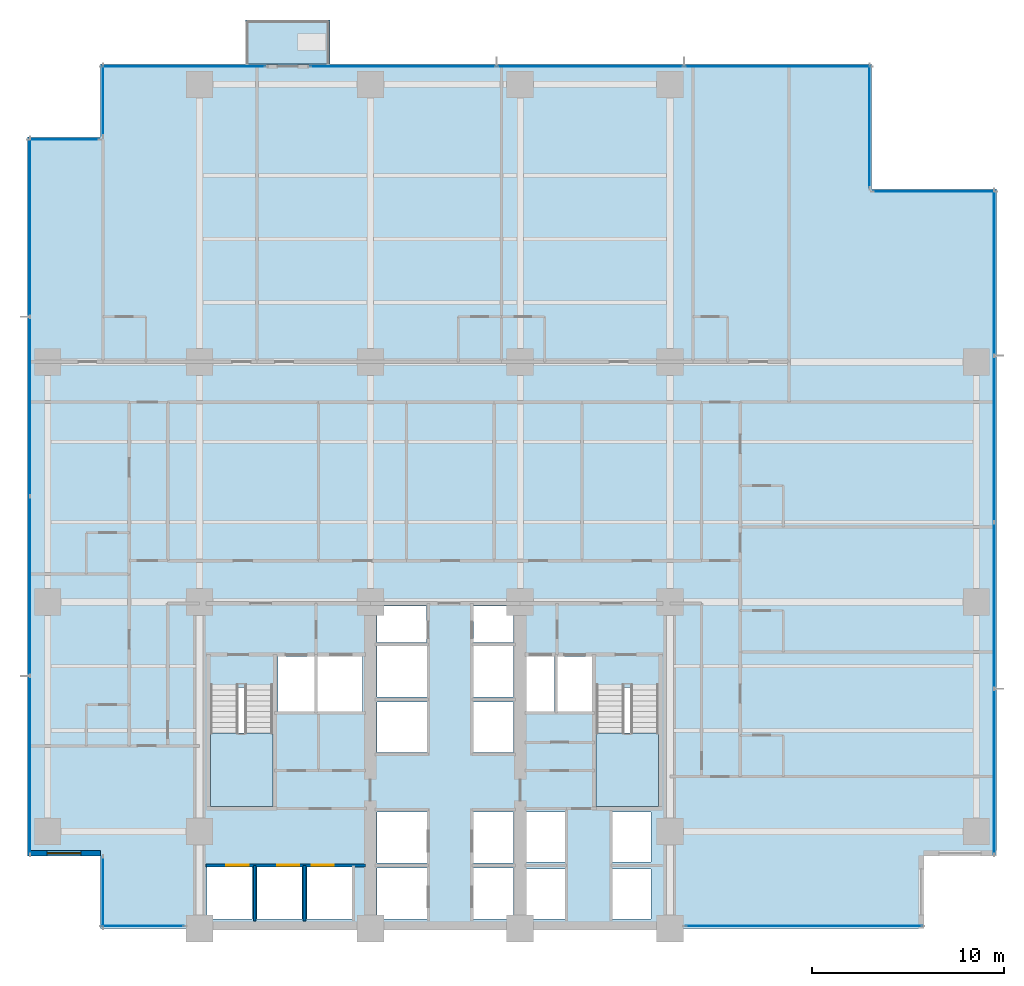
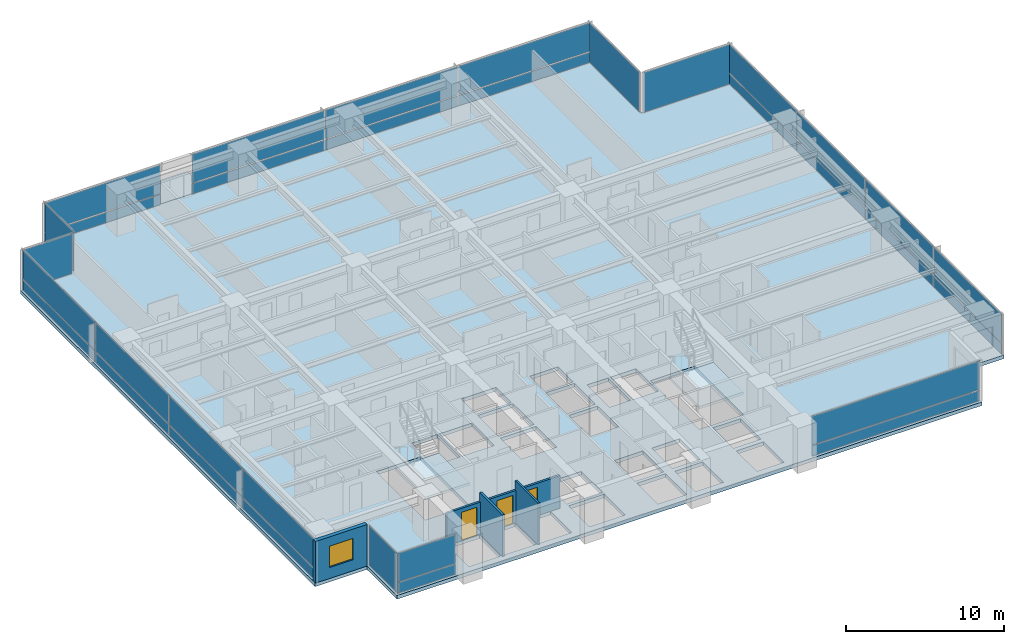
# One storey, part 6 of 16: 33 plates, 4 slabs, 4 walls, 3 doors, 1 window, 4 openings, 13 elements without a shape of their own.
"""IFC4 building model written with IfcOpenShell, lengths in metres."""

from ifc_helpers import new_model, si_unit, direction, frame, frame_2d, origin, origin_2d, place, context, subcontext, project, spatial, polyline, rectangle, outline, extrude, material, layer, layer_set, type_object, element, fill, aggregate, save


model = new_model("IFC4")

# Units and contexts
model_context = context("Model", 3, precision=1e-05, world=origin(), true_north=direction((0.0, 1.0)))
body_context = subcontext(model_context, "Body", "Model", "MODEL_VIEW")
ifc_project = project(units=[si_unit("LENGTHUNIT", "METRE"), si_unit("AREAUNIT", "SQUARE_METRE"), si_unit("VOLUMEUNIT", "CUBIC_METRE"), si_unit("PLANEANGLEUNIT", "RADIAN"), si_unit("MASSUNIT", "GRAM", prefix="KILO")], contexts=[model_context])

# Site, building, storey
site_placement = place(None, origin())
site = spatial("IfcSite", under=ifc_project, at=site_placement, CompositionType="ELEMENT")
building_placement = place(site_placement, origin())
building = spatial("IfcBuilding", under=site, at=building_placement, Name="Qalmaran Belvedere Hotel", CompositionType="ELEMENT")
storey_placement = place(building_placement, frame((0.0, 0.0, 43.89990234375)))
storey = spatial("IfcBuildingStorey", under=building, at=storey_placement, Name="L10", CompositionType="ELEMENT", Elevation=43.89990234375)

# Curtain wall, plate
ifc_material_1 = material(Name="Anodised Bronze Aluminium", Category="aluminium")
ifc_layer_1 = layer(ifc_material_1, 0.2099609375, Name="Anodised Bronze Aluminium")
ifc_layer_set_1 = layer_set([ifc_layer_1], Name="Anodised Bronze Aluminium")
curtain_wall_type = type_object("IfcCurtainWallType", Name="CW2-TOWER-LOWER", PredefinedType="NOTDEFINED", material=ifc_layer_set_1)
curtain_wall_1_placement = place(storey_placement, origin())
curtain_wall_1 = element("IfcCurtainWall", 1, at=curtain_wall_1_placement, inside=storey, type_object=curtain_wall_type, Name="L10 Curtain Wall CW2", PredefinedType="NOTDEFINED")
ifc_material_2 = material(Name="Anodised Bronze Spandrel Panel")
ifc_layer_2 = layer(ifc_material_2, 0.035888671875, Name="Anodised Bronze Spandrel Panel")
ifc_layer_set_2 = layer_set([ifc_layer_2], Name="Anodised Bronze Spandrel Panel")
plate_type_1 = type_object("IfcPlateType", Name="CWP-SPANDREL-36", PredefinedType="CURTAIN_PANEL", material=ifc_layer_set_2)
plate_1_placement = place(storey_placement, frame((17.35498046875, 3.6201171875, 0.0703125), z_axis=(0.0, 0.0, 1.0), x_axis=(1.0, 0.0, 0.0)))
plate_1 = element("IfcPlate", 2, at=plate_1_placement, type_object=plate_type_1, Name="CW2 panel 1.1", PredefinedType="CURTAIN_PANEL", context=body_context, shape_type="SweptSolid", body=[
    extrude(rectangle(XDim=4.260009765625, YDim=0.035888671875, at=origin_2d()), origin(), (0.0, 0.0, 1.0), 0.796630859375),
])

curtain_wall_2_placement = place(storey_placement, origin())
curtain_wall_2 = element("IfcCurtainWall", 3, at=curtain_wall_2_placement, inside=storey, type_object=curtain_wall_type, Name="L10 Curtain Wall CW2", PredefinedType="NOTDEFINED")
plate_2_placement = place(storey_placement, frame((51.77001953125, 3.6201171875, 0.0703125), z_axis=(0.0, 0.0, 1.0), x_axis=(1.0, 0.0, 0.0)))
plate_2 = element("IfcPlate", 4, at=plate_2_placement, type_object=plate_type_1, Name="CW2 panel 1.1", PredefinedType="CURTAIN_PANEL", context=body_context, shape_type="SweptSolid", body=[
    extrude(rectangle(XDim=12.31005859375, YDim=0.035888671875, at=origin_2d()), origin(), (0.0, 0.0, 1.0), 0.796630859375),
])

# Curtain wall, plates
curtain_wall_3_placement = place(storey_placement, origin())
curtain_wall_3 = element("IfcCurtainWall", 5, at=curtain_wall_3_placement, inside=storey, type_object=curtain_wall_type, Name="L10 Curtain Wall CW2", PredefinedType="NOTDEFINED")
plate_3_placement = place(storey_placement, frame((61.679931640625, 11.65625, 0.0703125), z_axis=(0.0, 0.0, 1.0), x_axis=(0.0, 1.0, 0.0)))
plate_3 = element("IfcPlate", 6, at=plate_3_placement, type_object=plate_type_1, Name="CW2 panel 1.1", PredefinedType="CURTAIN_PANEL", context=body_context, shape_type="SweptSolid", body=[
    extrude(rectangle(XDim=8.5625, YDim=0.035888671875, at=origin_2d()), origin(), (0.0, 0.0, 1.0), 0.796630859375),
])
plate_4_placement = place(storey_placement, frame((61.679931640625, 20.3125, 0.0703125), z_axis=(0.0, 0.0, 1.0), x_axis=(0.0, 1.0, 0.0)))
plate_4 = element("IfcPlate", 7, at=plate_4_placement, type_object=plate_type_1, Name="CW2 panel 2.1", PredefinedType="CURTAIN_PANEL", context=body_context, shape_type="SweptSolid", body=[
    extrude(rectangle(XDim=8.60009765625, YDim=0.035888671875, at=origin_2d()), origin(), (0.0, 0.0, 1.0), 0.796630859375),
])
plate_5_placement = place(storey_placement, frame((61.679931640625, 28.987548828125, 0.0703125), z_axis=(0.0, 0.0, 1.0), x_axis=(0.0, 1.0, 0.0)))
plate_5 = element("IfcPlate", 8, at=plate_5_placement, type_object=plate_type_1, Name="CW2 panel 3.1", PredefinedType="CURTAIN_PANEL", context=body_context, shape_type="SweptSolid", body=[
    extrude(rectangle(XDim=8.60009765625, YDim=0.035888671875, at=origin_2d()), origin(), (0.0, 0.0, 1.0), 0.796630859375),
])
plate_6_placement = place(storey_placement, frame((61.679931640625, 37.643798828125, 0.0703125), z_axis=(0.0, 0.0, 1.0), x_axis=(0.0, 1.0, 0.0)))
plate_6 = element("IfcPlate", 9, at=plate_6_placement, type_object=plate_type_1, Name="CW2 panel 4.1", PredefinedType="CURTAIN_PANEL", context=body_context, shape_type="SweptSolid", body=[
    extrude(rectangle(XDim=8.5625, YDim=0.035888671875, at=origin_2d()), origin(), (0.0, 0.0, 1.0), 0.796630859375),
])

# Curtain wall, plate
curtain_wall_4_placement = place(storey_placement, origin())
curtain_wall_4 = element("IfcCurtainWall", 10, at=curtain_wall_4_placement, inside=storey, type_object=curtain_wall_type, Name="L10 Curtain Wall CW2", PredefinedType="NOTDEFINED")
plate_7_placement = place(storey_placement, frame((19.47509765625, 48.3798828125, 0.0703125), z_axis=(0.0, 0.0, 1.0), x_axis=(-1.0, 0.0, 0.0)))
plate_7 = element("IfcPlate", 11, at=plate_7_placement, type_object=plate_type_1, Name="CW2 panel 1.1", PredefinedType="CURTAIN_PANEL", context=body_context, shape_type="SweptSolid", body=[
    extrude(rectangle(XDim=8.5, YDim=0.035888671875, at=origin_2d()), origin(), (0.0, 0.0, 1.0), 0.796630859375),
])

# Curtain wall, plates
curtain_wall_5_placement = place(storey_placement, origin())
curtain_wall_5 = element("IfcCurtainWall", 12, at=curtain_wall_5_placement, inside=storey, type_object=curtain_wall_type, Name="L10 Curtain Wall CW2", PredefinedType="NOTDEFINED")
plate_8_placement = place(storey_placement, frame((50.39794921875, 48.3798828125, 0.0703125), z_axis=(0.0, 0.0, 1.0), x_axis=(-1.0, 0.0, 0.0)))
plate_8 = element("IfcPlate", 13, at=plate_8_placement, type_object=plate_type_1, Name="CW2 panel 1.1", PredefinedType="CURTAIN_PANEL", context=body_context, shape_type="SweptSolid", body=[
    extrude(rectangle(XDim=9.654052734375, YDim=0.035888671875, at=origin_2d()), origin(), (0.0, 0.0, 1.0), 0.796630859375),
])
plate_9_placement = place(storey_placement, frame((40.64990234375, 48.3798828125, 0.0703125), z_axis=(0.0, 0.0, 1.0), x_axis=(-1.0, 0.0, 0.0)))
plate_9 = element("IfcPlate", 14, at=plate_9_placement, type_object=plate_type_1, Name="CW2 panel 2.1", PredefinedType="CURTAIN_PANEL", context=body_context, shape_type="SweptSolid", body=[
    extrude(rectangle(XDim=9.691650390625, YDim=0.035888671875, at=origin_2d()), origin(), (0.0, 0.0, 1.0), 0.796630859375),
])
plate_10_placement = place(storey_placement, frame((30.902099609375, 48.3798828125, 0.0703125), z_axis=(0.0, 0.0, 1.0), x_axis=(-1.0, 0.0, 0.0)))
plate_10 = element("IfcPlate", 15, at=plate_10_placement, type_object=plate_type_1, Name="CW2 panel 3.1", PredefinedType="CURTAIN_PANEL", context=body_context, shape_type="SweptSolid", body=[
    extrude(rectangle(XDim=9.654052734375, YDim=0.035888671875, at=origin_2d()), origin(), (0.0, 0.0, 1.0), 0.796630859375),
])

curtain_wall_6_placement = place(storey_placement, origin())
curtain_wall_6 = element("IfcCurtainWall", 16, at=curtain_wall_6_placement, inside=storey, type_object=curtain_wall_type, Name="L10 Curtain Wall CW2", PredefinedType="NOTDEFINED")
plate_11_placement = place(storey_placement, frame((11.469970703125, 40.00634765625, 0.0703125), z_axis=(0.0, 0.0, 1.0), x_axis=(0.0, -1.0, 0.0)))
plate_11 = element("IfcPlate", 17, at=plate_11_placement, type_object=plate_type_1, Name="CW2 panel 1.1", PredefinedType="CURTAIN_PANEL", context=body_context, shape_type="SweptSolid", body=[
    extrude(rectangle(XDim=9.237548828125, YDim=0.035888671875, at=origin_2d()), origin(), (0.0, 0.0, 1.0), 0.796630859375),
])
plate_12_placement = place(storey_placement, frame((11.469970703125, 30.675048828125, 0.0703125), z_axis=(0.0, 0.0, 1.0), x_axis=(0.0, -1.0, 0.0)))
plate_12 = element("IfcPlate", 18, at=plate_12_placement, type_object=plate_type_1, Name="CW2 panel 2.1", PredefinedType="CURTAIN_PANEL", context=body_context, shape_type="SweptSolid", body=[
    extrude(rectangle(XDim=9.27490234375, YDim=0.035888671875, at=origin_2d()), origin(), (0.0, 0.0, 1.0), 0.796630859375),
])
plate_13_placement = place(storey_placement, frame((11.469970703125, 21.324951171875, 0.0703125), z_axis=(0.0, 0.0, 1.0), x_axis=(0.0, -1.0, 0.0)))
plate_13 = element("IfcPlate", 19, at=plate_13_placement, type_object=plate_type_1, Name="CW2 panel 3.1", PredefinedType="CURTAIN_PANEL", context=body_context, shape_type="SweptSolid", body=[
    extrude(rectangle(XDim=9.27490234375, YDim=0.035888671875, at=origin_2d()), origin(), (0.0, 0.0, 1.0), 0.796630859375),
])
plate_14_placement = place(storey_placement, frame((11.469970703125, 11.99365234375, 0.0703125), z_axis=(0.0, 0.0, 1.0), x_axis=(0.0, -1.0, 0.0)))
plate_14 = element("IfcPlate", 20, at=plate_14_placement, type_object=plate_type_1, Name="CW2 panel 4.1", PredefinedType="CURTAIN_PANEL", context=body_context, shape_type="SweptSolid", body=[
    extrude(rectangle(XDim=9.237548828125, YDim=0.035888671875, at=origin_2d()), origin(), (0.0, 0.0, 1.0), 0.796630859375),
])

# Plate
ifc_material_3 = material(Name="Solar-Control Double Glazing", Category="glass")
ifc_layer_3 = layer(ifc_material_3, 0.028076171875, Name="Solar-Control Double Glazing")
ifc_layer_set_3 = layer_set([ifc_layer_3], Name="Solar-Control Double Glazing")
plate_type_2 = type_object("IfcPlateType", Name="CWP-VISION-28", PredefinedType="CURTAIN_PANEL", material=ifc_layer_set_3)
plate_15_placement = place(storey_placement, frame((17.35498046875, 3.6201171875, 0.936767578125), z_axis=(0.0, 0.0, 1.0), x_axis=(1.0, 0.0, 0.0)))
plate_15 = element("IfcPlate", 21, at=plate_15_placement, type_object=plate_type_2, Name="CW2 panel 1.2", PredefinedType="CURTAIN_PANEL", context=body_context, shape_type="SweptSolid", body=[
    extrude(rectangle(XDim=4.260009765625, YDim=0.028076171875, at=origin_2d()), origin(), (0.0, 0.0, 1.0), 2.21337890625),
])

aggregate(curtain_wall_1, [plate_1, plate_15])

plate_16_placement = place(storey_placement, frame((51.77001953125, 3.6201171875, 0.936767578125), z_axis=(0.0, 0.0, 1.0), x_axis=(1.0, 0.0, 0.0)))
plate_16 = element("IfcPlate", 22, at=plate_16_placement, type_object=plate_type_2, Name="CW2 panel 1.2", PredefinedType="CURTAIN_PANEL", context=body_context, shape_type="SweptSolid", body=[
    extrude(rectangle(XDim=12.31005859375, YDim=0.028076171875, at=origin_2d()), origin(), (0.0, 0.0, 1.0), 2.21337890625),
])

aggregate(curtain_wall_2, [plate_2, plate_16])

plate_17_placement = place(storey_placement, frame((61.679931640625, 11.65625, 0.936767578125), z_axis=(0.0, 0.0, 1.0), x_axis=(0.0, 1.0, 0.0)))
plate_17 = element("IfcPlate", 23, at=plate_17_placement, type_object=plate_type_2, Name="CW2 panel 1.2", PredefinedType="CURTAIN_PANEL", context=body_context, shape_type="SweptSolid", body=[
    extrude(rectangle(XDim=8.5625, YDim=0.028076171875, at=origin_2d()), origin(), (0.0, 0.0, 1.0), 2.21337890625),
])

plate_18_placement = place(storey_placement, frame((61.679931640625, 20.3125, 0.936767578125), z_axis=(0.0, 0.0, 1.0), x_axis=(0.0, 1.0, 0.0)))
plate_18 = element("IfcPlate", 24, at=plate_18_placement, type_object=plate_type_2, Name="CW2 panel 2.2", PredefinedType="CURTAIN_PANEL", context=body_context, shape_type="SweptSolid", body=[
    extrude(rectangle(XDim=8.60009765625, YDim=0.028076171875, at=origin_2d()), origin(), (0.0, 0.0, 1.0), 2.21337890625),
])

plate_19_placement = place(storey_placement, frame((61.679931640625, 28.987548828125, 0.936767578125), z_axis=(0.0, 0.0, 1.0), x_axis=(0.0, 1.0, 0.0)))
plate_19 = element("IfcPlate", 25, at=plate_19_placement, type_object=plate_type_2, Name="CW2 panel 3.2", PredefinedType="CURTAIN_PANEL", context=body_context, shape_type="SweptSolid", body=[
    extrude(rectangle(XDim=8.60009765625, YDim=0.028076171875, at=origin_2d()), origin(), (0.0, 0.0, 1.0), 2.21337890625),
])

plate_20_placement = place(storey_placement, frame((61.679931640625, 37.643798828125, 0.936767578125), z_axis=(0.0, 0.0, 1.0), x_axis=(0.0, 1.0, 0.0)))
plate_20 = element("IfcPlate", 26, at=plate_20_placement, type_object=plate_type_2, Name="CW2 panel 4.2", PredefinedType="CURTAIN_PANEL", context=body_context, shape_type="SweptSolid", body=[
    extrude(rectangle(XDim=8.5625, YDim=0.028076171875, at=origin_2d()), origin(), (0.0, 0.0, 1.0), 2.21337890625),
])

aggregate(curtain_wall_3, [plate_3, plate_17, plate_4, plate_18, plate_5, plate_19, plate_6, plate_20])

# Curtain wall, plate
curtain_wall_7_placement = place(storey_placement, origin())
curtain_wall_7 = element("IfcCurtainWall", 27, at=curtain_wall_7_placement, inside=storey, type_object=curtain_wall_type, Name="L10 Curtain Wall CW2", PredefinedType="NOTDEFINED")
plate_21_placement = place(storey_placement, frame((58.550048828125, 41.8798828125, 0.070068359375), z_axis=(0.0, 0.0, 1.0), x_axis=(-1.0, 0.0, 0.0)))
plate_21 = element("IfcPlate", 28, at=plate_21_placement, type_object=plate_type_2, Name="CW2 panel 1.1", PredefinedType="CURTAIN_PANEL", context=body_context, shape_type="SweptSolid", body=[
    extrude(rectangle(XDim=6.35009765625, YDim=0.028076171875, at=origin_2d()), origin(), (0.0, 0.0, 1.0), 3.080078125),
])
aggregate(curtain_wall_7, [plate_21])

curtain_wall_8_placement = place(storey_placement, origin())
curtain_wall_8 = element("IfcCurtainWall", 29, at=curtain_wall_8_placement, inside=storey, type_object=curtain_wall_type, Name="L10 Curtain Wall CW2", PredefinedType="NOTDEFINED")
plate_22_placement = place(storey_placement, frame((55.179931640625, 45.25, 0.070068359375), z_axis=(0.0, 0.0, 1.0), x_axis=(0.0, 1.0, 0.0)))
plate_22 = element("IfcPlate", 30, at=plate_22_placement, type_object=plate_type_2, Name="CW2 panel 1.1", PredefinedType="CURTAIN_PANEL", context=body_context, shape_type="SweptSolid", body=[
    extrude(rectangle(XDim=6.35009765625, YDim=0.028076171875, at=origin_2d()), origin(), (0.0, 0.0, 1.0), 3.080078125),
])
aggregate(curtain_wall_8, [plate_22])

# Plate
plate_23_placement = place(storey_placement, frame((19.47509765625, 48.3798828125, 0.936767578125), z_axis=(0.0, 0.0, 1.0), x_axis=(-1.0, 0.0, 0.0)))
plate_23 = element("IfcPlate", 31, at=plate_23_placement, type_object=plate_type_2, Name="CW2 panel 1.2", PredefinedType="CURTAIN_PANEL", context=body_context, shape_type="SweptSolid", body=[
    extrude(rectangle(XDim=8.5, YDim=0.028076171875, at=origin_2d()), origin(), (0.0, 0.0, 1.0), 2.21337890625),
])

aggregate(curtain_wall_4, [plate_7, plate_23])

plate_24_placement = place(storey_placement, frame((50.39794921875, 48.3798828125, 0.936767578125), z_axis=(0.0, 0.0, 1.0), x_axis=(-1.0, 0.0, 0.0)))
plate_24 = element("IfcPlate", 32, at=plate_24_placement, type_object=plate_type_2, Name="CW2 panel 1.2", PredefinedType="CURTAIN_PANEL", context=body_context, shape_type="SweptSolid", body=[
    extrude(rectangle(XDim=9.654052734375, YDim=0.028076171875, at=origin_2d()), origin(), (0.0, 0.0, 1.0), 2.21337890625),
])

plate_25_placement = place(storey_placement, frame((40.64990234375, 48.3798828125, 0.936767578125), z_axis=(0.0, 0.0, 1.0), x_axis=(-1.0, 0.0, 0.0)))
plate_25 = element("IfcPlate", 33, at=plate_25_placement, type_object=plate_type_2, Name="CW2 panel 2.2", PredefinedType="CURTAIN_PANEL", context=body_context, shape_type="SweptSolid", body=[
    extrude(rectangle(XDim=9.691650390625, YDim=0.028076171875, at=origin_2d()), origin(), (0.0, 0.0, 1.0), 2.21337890625),
])

plate_26_placement = place(storey_placement, frame((30.902099609375, 48.3798828125, 0.936767578125), z_axis=(0.0, 0.0, 1.0), x_axis=(-1.0, 0.0, 0.0)))
plate_26 = element("IfcPlate", 34, at=plate_26_placement, type_object=plate_type_2, Name="CW2 panel 3.2", PredefinedType="CURTAIN_PANEL", context=body_context, shape_type="SweptSolid", body=[
    extrude(rectangle(XDim=9.654052734375, YDim=0.028076171875, at=origin_2d()), origin(), (0.0, 0.0, 1.0), 2.21337890625),
])

aggregate(curtain_wall_5, [plate_8, plate_24, plate_9, plate_25, plate_10, plate_26])

# Curtain wall, plate
curtain_wall_9_placement = place(storey_placement, origin())
curtain_wall_9 = element("IfcCurtainWall", 35, at=curtain_wall_9_placement, inside=storey, type_object=curtain_wall_type, Name="L10 Curtain Wall CW2", PredefinedType="NOTDEFINED")
plate_27_placement = place(storey_placement, frame((15.27001953125, 46.60009765625, 0.070068359375), z_axis=(0.0, 0.0, 1.0), x_axis=(0.0, -1.0, 0.0)))
plate_27 = element("IfcPlate", 36, at=plate_27_placement, type_object=plate_type_2, Name="CW2 panel 1.1", PredefinedType="CURTAIN_PANEL", context=body_context, shape_type="SweptSolid", body=[
    extrude(rectangle(XDim=3.64990234375, YDim=0.028076171875, at=origin_2d()), origin(), (0.0, 0.0, 1.0), 3.080078125),
])
aggregate(curtain_wall_9, [plate_27])

curtain_wall_10_placement = place(storey_placement, origin())
curtain_wall_10 = element("IfcCurtainWall", 37, at=curtain_wall_10_placement, inside=storey, type_object=curtain_wall_type, Name="L10 Curtain Wall CW2", PredefinedType="NOTDEFINED")
plate_28_placement = place(storey_placement, frame((13.25, 44.580078125, 0.070068359375), z_axis=(0.0, 0.0, 1.0), x_axis=(-1.0, 0.0, 0.0)))
plate_28 = element("IfcPlate", 38, at=plate_28_placement, type_object=plate_type_2, Name="CW2 panel 1.1", PredefinedType="CURTAIN_PANEL", context=body_context, shape_type="SweptSolid", body=[
    extrude(rectangle(XDim=3.64990234375, YDim=0.028076171875, at=origin_2d()), origin(), (0.0, 0.0, 1.0), 3.080078125),
])
aggregate(curtain_wall_10, [plate_28])

# Plate
plate_29_placement = place(storey_placement, frame((11.469970703125, 40.00634765625, 0.936767578125), z_axis=(0.0, 0.0, 1.0), x_axis=(0.0, -1.0, 0.0)))
plate_29 = element("IfcPlate", 39, at=plate_29_placement, type_object=plate_type_2, Name="CW2 panel 1.2", PredefinedType="CURTAIN_PANEL", context=body_context, shape_type="SweptSolid", body=[
    extrude(rectangle(XDim=9.237548828125, YDim=0.028076171875, at=origin_2d()), origin(), (0.0, 0.0, 1.0), 2.21337890625),
])

plate_30_placement = place(storey_placement, frame((11.469970703125, 30.675048828125, 0.936767578125), z_axis=(0.0, 0.0, 1.0), x_axis=(0.0, -1.0, 0.0)))
plate_30 = element("IfcPlate", 40, at=plate_30_placement, type_object=plate_type_2, Name="CW2 panel 2.2", PredefinedType="CURTAIN_PANEL", context=body_context, shape_type="SweptSolid", body=[
    extrude(rectangle(XDim=9.27490234375, YDim=0.028076171875, at=origin_2d()), origin(), (0.0, 0.0, 1.0), 2.21337890625),
])

plate_31_placement = place(storey_placement, frame((11.469970703125, 21.324951171875, 0.936767578125), z_axis=(0.0, 0.0, 1.0), x_axis=(0.0, -1.0, 0.0)))
plate_31 = element("IfcPlate", 41, at=plate_31_placement, type_object=plate_type_2, Name="CW2 panel 3.2", PredefinedType="CURTAIN_PANEL", context=body_context, shape_type="SweptSolid", body=[
    extrude(rectangle(XDim=9.27490234375, YDim=0.028076171875, at=origin_2d()), origin(), (0.0, 0.0, 1.0), 2.21337890625),
])

plate_32_placement = place(storey_placement, frame((11.469970703125, 11.99365234375, 0.936767578125), z_axis=(0.0, 0.0, 1.0), x_axis=(0.0, -1.0, 0.0)))
plate_32 = element("IfcPlate", 42, at=plate_32_placement, type_object=plate_type_2, Name="CW2 panel 4.2", PredefinedType="CURTAIN_PANEL", context=body_context, shape_type="SweptSolid", body=[
    extrude(rectangle(XDim=9.237548828125, YDim=0.028076171875, at=origin_2d()), origin(), (0.0, 0.0, 1.0), 2.21337890625),
])

aggregate(curtain_wall_6, [plate_11, plate_29, plate_12, plate_30, plate_13, plate_31, plate_14, plate_32])

# Curtain wall, plate
curtain_wall_11_placement = place(storey_placement, origin())
curtain_wall_11 = element("IfcCurtainWall", 43, at=curtain_wall_11_placement, inside=storey, type_object=curtain_wall_type, Name="L10 Curtain Wall CW2", PredefinedType="NOTDEFINED")
plate_33_placement = place(storey_placement, frame((15.27001953125, 5.39990234375, 0.070068359375), z_axis=(0.0, 0.0, 1.0), x_axis=(0.0, -1.0, 0.0)))
plate_33 = element("IfcPlate", 44, at=plate_33_placement, type_object=plate_type_2, Name="CW2 panel 1.1", PredefinedType="CURTAIN_PANEL", context=body_context, shape_type="SweptSolid", body=[
    extrude(rectangle(XDim=3.64990234375, YDim=0.028076171875, at=origin_2d()), origin(), (0.0, 0.0, 1.0), 3.080078125),
])
aggregate(curtain_wall_11, [plate_33])

# Slab
ifc_material_4 = material(Name="Concrete C40/50", Category="concrete")
ifc_layer_4 = layer(ifc_material_4, 0.219970703125, Name="Concrete C40/50")
ifc_layer_set_4 = layer_set([ifc_layer_4], Name="Concrete C40/50")
slab_type_1 = type_object("IfcSlabType", Name="SLB-BAL-220", PredefinedType="USERDEFINED", material=ifc_layer_set_4)
slab_1_placement = place(storey_placement, frame((0.0, 0.0, -0.219970703125)))
element("IfcSlab", 45, at=slab_1_placement, inside=storey, type_object=slab_type_1, Name="L10 Planted Tree Balcony Slab 1", ObjectType="BALCONY", PredefinedType="USERDEFINED", context=body_context, shape_type="SweptSolid", body=[
    extrude(outline(polyline([(22.699951171875, 48.5), (27.10009765625, 48.5), (27.10009765625, 50.800048828125), (22.699951171875, 50.800048828125), (22.699951171875, 48.5)])), origin(), (0.0, 0.0, 1.0), 0.219970703125),
])

# Stair, slab
stair_type_1 = type_object("IfcStairType", Name="STR-ST-1-1450-R1750", PredefinedType="HALF_TURN_STAIR", material=ifc_material_4)
stair_1_placement = place(storey_placement, origin())
stair_1 = element("IfcStair", 46, at=stair_1_placement, inside=storey, type_object=stair_type_1, Name="L10 West Core Exit Stair ST-1", PredefinedType="HALF_TURN_STAIR")
ifc_layer_5 = layer(ifc_material_4, 0.199951171875, Name="Concrete C40/50")
ifc_layer_set_5 = layer_set([ifc_layer_5], Name="Concrete C40/50")
slab_type_2 = type_object("IfcSlabType", Name="SLB-STAIR-LANDING-200", PredefinedType="LANDING", material=ifc_layer_set_5)
slab_2_placement = place(storey_placement, frame((0.0, 0.0, 1.550048828125)))
slab_2 = element("IfcSlab", 47, at=slab_2_placement, type_object=slab_type_2, Name="ST-1 landing 1", PredefinedType="LANDING", context=body_context, shape_type="SweptSolid", body=[
    extrude(outline(polyline([(20.8798828125, 13.669921875), (20.8798828125, 9.85009765625), (24.1201171875, 9.85009765625), (24.1201171875, 13.669921875), (20.8798828125, 13.669921875)])), origin(), (0.0, 0.0, 1.0), 0.199951171875),
])
aggregate(stair_1, [slab_2])

stair_type_2 = type_object("IfcStairType", Name="STR-ST-2-1450-R1750", PredefinedType="HALF_TURN_STAIR", material=ifc_material_4)
stair_2_placement = place(storey_placement, origin())
stair_2 = element("IfcStair", 48, at=stair_2_placement, inside=storey, type_object=stair_type_2, Name="L10 East Core Exit Stair ST-2", PredefinedType="HALF_TURN_STAIR")
slab_3_placement = place(storey_placement, frame((0.0, 0.0, 1.550048828125)))
slab_3 = element("IfcSlab", 49, at=slab_3_placement, type_object=slab_type_2, Name="ST-2 landing 1", PredefinedType="LANDING", context=body_context, shape_type="SweptSolid", body=[
    extrude(outline(polyline([(40.9599609375, 13.669921875), (40.9599609375, 9.85009765625), (44.199951171875, 9.85009765625), (44.199951171875, 13.669921875), (40.9599609375, 13.669921875)])), origin(), (0.0, 0.0, 1.0), 0.199951171875),
])
aggregate(stair_2, [slab_3])

# Slab
ifc_layer_6 = layer(ifc_material_4, 0.280029296875, Name="Concrete C40/50")
ifc_layer_set_6 = layer_set([ifc_layer_6], Name="Concrete C40/50")
slab_type_3 = type_object("IfcSlabType", Name="SLB-Z1-280", PredefinedType="FLOOR", material=ifc_layer_set_6)
slab_4_placement = place(storey_placement, frame((0.0, 0.0, -0.27978515625)))
element("IfcSlab", 50, at=slab_4_placement, inside=storey, type_object=slab_type_3, Name="L10 Structural Floor Slab", PredefinedType="FLOOR", context=body_context, shape_type="SweptSolid", body=[
    extrude(outline(polyline([(15.14990234375, 3.5), (58.0, 3.5), (58.0, 7.300048828125), (61.800048828125, 7.300048828125), (61.800048828125, 42.0), (55.300048828125, 42.0), (55.300048828125, 48.5), (15.14990234375, 48.5), (15.14990234375, 44.699951171875), (11.35009765625, 44.699951171875), (11.35009765625, 7.300048828125), (15.14990234375, 7.300048828125), (15.14990234375, 3.5)]), holes=[polyline([(20.8798828125, 9.85009765625), (24.1201171875, 9.85009765625), (24.1201171875, 16.0400390625), (20.8798828125, 16.0400390625), (20.8798828125, 9.85009765625)]), polyline([(40.9599609375, 9.85009765625), (44.199951171875, 9.85009765625), (44.199951171875, 16.0400390625), (40.9599609375, 16.0400390625), (40.9599609375, 9.85009765625)]), polyline([(29.544921875, 4.0), (32.14990234375, 4.0), (32.14990234375, 6.64990234375), (29.544921875, 6.64990234375), (29.544921875, 4.0)]), polyline([(29.544921875, 6.89990234375), (32.14990234375, 6.89990234375), (32.14990234375, 9.550048828125), (29.544921875, 9.550048828125), (29.544921875, 6.89990234375)]), polyline([(34.550048828125, 4.0), (36.655029296875, 4.0), (36.655029296875, 6.64990234375), (34.550048828125, 6.64990234375), (34.550048828125, 4.0)]), polyline([(34.550048828125, 6.89990234375), (36.655029296875, 6.89990234375), (36.655029296875, 9.550048828125), (34.550048828125, 9.550048828125), (34.550048828125, 6.89990234375)]), polyline([(29.544921875, 12.64990234375), (32.14990234375, 12.64990234375), (32.14990234375, 15.300048828125), (29.544921875, 15.300048828125), (29.544921875, 12.64990234375)]), polyline([(29.544921875, 15.550048828125), (32.14990234375, 15.550048828125), (32.14990234375, 18.199951171875), (29.544921875, 18.199951171875), (29.544921875, 15.550048828125)]), polyline([(34.550048828125, 12.64990234375), (36.655029296875, 12.64990234375), (36.655029296875, 15.300048828125), (34.550048828125, 15.300048828125), (34.550048828125, 12.64990234375)]), polyline([(34.550048828125, 15.550048828125), (36.655029296875, 15.550048828125), (36.655029296875, 18.199951171875), (34.550048828125, 18.199951171875), (34.550048828125, 15.550048828125)]), polyline([(37.300048828125, 4.0), (39.35009765625, 4.0), (39.35009765625, 6.60009765625), (37.300048828125, 6.60009765625), (37.300048828125, 4.0)]), polyline([(37.300048828125, 6.949951171875), (39.35009765625, 6.949951171875), (39.35009765625, 9.550048828125), (37.300048828125, 9.550048828125), (37.300048828125, 6.949951171875)]), polyline([(41.800048828125, 4.0), (43.800048828125, 4.0), (43.800048828125, 6.60009765625), (41.800048828125, 6.60009765625), (41.800048828125, 4.0)]), polyline([(41.800048828125, 6.949951171875), (43.800048828125, 6.949951171875), (43.800048828125, 9.550048828125), (41.800048828125, 9.550048828125), (41.800048828125, 6.949951171875)]), polyline([(20.699951171875, 4.0), (23.050048828125, 4.0), (23.050048828125, 6.699951171875), (20.699951171875, 6.699951171875), (20.699951171875, 4.0)]), polyline([(23.300048828125, 4.0), (25.64990234375, 4.0), (25.64990234375, 6.699951171875), (23.300048828125, 6.699951171875), (23.300048828125, 4.0)]), polyline([(25.89990234375, 4.0), (28.25, 4.0), (28.25, 6.699951171875), (25.89990234375, 6.699951171875), (25.89990234375, 4.0)]), polyline([(24.39990234375, 14.800048828125), (26.300048828125, 14.800048828125), (26.300048828125, 17.64990234375), (24.39990234375, 17.64990234375), (24.39990234375, 14.800048828125)]), polyline([(38.949951171875, 14.800048828125), (40.820068359375, 14.800048828125), (40.820068359375, 17.64990234375), (38.949951171875, 17.64990234375), (38.949951171875, 14.800048828125)]), polyline([(26.449951171875, 14.800048828125), (28.800048828125, 14.800048828125), (28.800048828125, 17.64990234375), (26.449951171875, 17.64990234375), (26.449951171875, 14.800048828125)]), polyline([(37.25, 14.800048828125), (38.800048828125, 14.800048828125), (38.800048828125, 17.64990234375), (37.25, 17.64990234375), (37.25, 14.800048828125)]), polyline([(29.544921875, 18.3798828125), (32.1201171875, 18.3798828125), (32.1201171875, 20.300048828125), (29.544921875, 20.300048828125), (29.544921875, 18.3798828125)]), polyline([(34.580078125, 18.3798828125), (36.655029296875, 18.3798828125), (36.655029296875, 20.300048828125), (34.580078125, 20.300048828125), (34.580078125, 18.3798828125)])]), origin(), (0.0, 0.0, 1.0), 0.27978515625),
])

# Wall, opening, window
ifc_material_5 = material(Name="Anodised Bronze Cladding")
ifc_layer_7 = layer(ifc_material_5, 0.280029296875, Name="Anodised Bronze Cladding")
ifc_layer_set_7 = layer_set([ifc_layer_7], Name="Anodised Bronze Cladding")
wall_type_1 = type_object("IfcWallType", Name="WL-EXT-BRNZ-280", PredefinedType="SOLIDWALL", material=ifc_layer_set_7)
wall_1_placement = place(storey_placement, frame((11.35009765625, 7.419921875, 0.0), z_axis=(0.0, 0.0, 1.0), x_axis=(1.0, 0.0, 0.0)))
wall_1 = element("IfcWall", 51, at=wall_1_placement, inside=storey, type_object=wall_type_1, Name="L10 Corner Notch Wall 10", PredefinedType="SOLIDWALL", context=body_context, shape_type="SweptSolid", body=[
    extrude(rectangle(XDim=3.7998046875, YDim=0.280029296875, at=frame_2d((1.89990234375, 0.0))), origin(), (0.0, 0.0, 1.0), 3.22021484375),
])
opening_1_placement = place(wall_1_placement, frame((1.02490234375, 0.0, 0.85009765625)))
opening_1 = element("IfcOpeningElement", 52, at=opening_1_placement, cuts=wall_1, Name="Opening W-N17", PredefinedType="OPENING", context=body_context, shape_type="SweptSolid", body=[
    extrude(rectangle(XDim=1.75, YDim=1.64990234375, at=frame_2d((0.875, 0.824951171875))), frame((0.0, 0.14990234375, 0.0), z_axis=(0.0, -1.0, 0.0), x_axis=(1.0, 0.0, 0.0)), (0.0, 0.0, 1.0), 0.300048828125),
])
window_type = type_object("IfcWindowType", Name="WN-NTC-1750X1650", PartitioningType="SINGLE_PANEL", PredefinedType="WINDOW", material=ifc_material_3)
window_placement = place(opening_1_placement, origin())
window = element("IfcWindow", 53, at=window_placement, inside=storey, type_object=window_type, Name="L10 Corner Notch Window 10", OverallHeight=1.64990234375, OverallWidth=1.75, PartitioningType="SINGLE_PANEL", PredefinedType="WINDOW", context=body_context, shape_type="SweptSolid", body=[
    extrude(rectangle(XDim=1.75, YDim=1.64990234375, at=frame_2d((0.875, 0.824951171875))), frame((0.0, 0.030029296875, 0.0), z_axis=(0.0, -1.0, 0.0), x_axis=(1.0, 0.0, 0.0)), (0.0, 0.0, 1.0), 0.06005859375),
])
fill(opening_1, window)

# Walls
ifc_material_6 = material(Name="Gypsum Stud Partition")
ifc_layer_8 = layer(ifc_material_6, 0.14990234375, Name="Gypsum Stud Partition")
ifc_layer_set_8 = layer_set([ifc_layer_8], Name="Gypsum Stud Partition")
wall_type_2 = type_object("IfcWallType", Name="WL-INT-150-EI120", PredefinedType="PARTITIONING", material=ifc_layer_set_8)
for number, where, z_axis, x_axis, name in (
    (54, (23.179931640625, 3.89990234375, 0.0), (0.0, 0.0, 1.0), (0.0, 1.0, 0.0), "L10 Partition WL-POM1-L10"),
    (55, (25.780029296875, 3.89990234375, 0.0), (0.0, 0.0, 1.0), (0.0, 1.0, 0.0), "L10 Partition WL-POM2-L10"),
):
    element("IfcWall", number, at=place(storey_placement, frame(where, z_axis=z_axis, x_axis=x_axis)), inside=storey, type_object=wall_type_2, Name=name, PredefinedType="PARTITIONING", context=body_context, shape_type="SweptSolid", body=[
        extrude(rectangle(XDim=2.880126953125, YDim=0.14990234375, at=frame_2d((1.43994140625, 0.0))), origin(), (0.0, 0.0, 1.0), 3.22021484375),
    ])

# Wall, openings, doors
ifc_layer_9 = layer(ifc_material_6, 0.159912109375, Name="Gypsum Stud Partition")
ifc_layer_set_9 = layer_set([ifc_layer_9], Name="Gypsum Stud Partition")
wall_type_3 = type_object("IfcWallType", Name="WL-INT-160-EI120", PredefinedType="PARTITIONING", material=ifc_layer_set_9)
wall_2_placement = place(storey_placement, frame((20.64990234375, 6.780029296875, 0.0), z_axis=(0.0, 0.0, 1.0), x_axis=(1.0, 0.0, 0.0)))
wall_2 = element("IfcWall", 56, at=wall_2_placement, inside=storey, type_object=wall_type_3, Name="L10 Partition WL-POS-L10", PredefinedType="PARTITIONING", context=body_context, shape_type="SweptSolid", body=[
    extrude(rectangle(XDim=8.300048828125, YDim=0.159912109375, at=frame_2d((4.14990234375, 0.0))), origin(), (0.0, 0.0, 1.0), 2.510009765625),
])
opening_2_placement = place(wall_2_placement, frame((3.69482421875, 0.0, 0.0)))
opening_2 = element("IfcOpeningElement", 57, at=opening_2_placement, cuts=wall_2, Name="Opening LD-PO", PredefinedType="OPENING", context=body_context, shape_type="SweptSolid", body=[
    extrude(rectangle(XDim=1.14990234375, YDim=2.199951171875, at=frame_2d((0.574951171875, 1.10009765625))), frame((0.0, 0.08984375, 0.0), z_axis=(0.0, -1.0, 0.0), x_axis=(1.0, 0.0, 0.0)), (0.0, 0.0, 1.0), 0.179931640625),
])
opening_3_placement = place(wall_2_placement, frame((5.4921875, 0.0, 0.0)))
opening_3 = element("IfcOpeningElement", 58, at=opening_3_placement, cuts=wall_2, Name="Opening LD-PO", PredefinedType="OPENING", context=body_context, shape_type="SweptSolid", body=[
    extrude(rectangle(XDim=1.14990234375, YDim=2.199951171875, at=frame_2d((0.574951171875, 1.10009765625))), frame((0.0, 0.08984375, 0.0), z_axis=(0.0, -1.0, 0.0), x_axis=(1.0, 0.0, 0.0)), (0.0, 0.0, 1.0), 0.179931640625),
])
opening_4_placement = place(wall_2_placement, frame((1.058837890625, 0.0, 0.0)))
opening_4 = element("IfcOpeningElement", 59, at=opening_4_placement, cuts=wall_2, Name="Opening LD-PO", PredefinedType="OPENING", context=body_context, shape_type="SweptSolid", body=[
    extrude(rectangle(XDim=1.14990234375, YDim=2.199951171875, at=frame_2d((0.574951171875, 1.10009765625))), frame((0.0, 0.08984375, 0.0), z_axis=(0.0, -1.0, 0.0), x_axis=(1.0, 0.0, 0.0)), (0.0, 0.0, 1.0), 0.179931640625),
])
door_type = type_object("IfcDoorType", Name="DR-LIFT-PO-1150X2200", OperationType="DOUBLE_DOOR_SLIDING", PredefinedType="DOOR", material=ifc_material_1)
door_1_placement = place(opening_2_placement, origin())
door_1 = element("IfcDoor", 60, at=door_1_placement, inside=storey, type_object=door_type, Name="L10 PO1 Shuttle Landing Door", OperationType="DOUBLE_DOOR_SLIDING", OverallHeight=2.199951171875, OverallWidth=1.14990234375, PredefinedType="DOOR", context=body_context, shape_type="SweptSolid", body=[
    extrude(rectangle(XDim=1.14990234375, YDim=2.199951171875, at=frame_2d((0.574951171875, 1.10009765625))), frame((0.0, 0.02490234375, 0.0), z_axis=(0.0, -1.0, 0.0), x_axis=(1.0, 0.0, 0.0)), (0.0, 0.0, 1.0), 0.050048828125),
])
fill(opening_2, door_1)
door_2_placement = place(opening_3_placement, origin())
door_2 = element("IfcDoor", 61, at=door_2_placement, inside=storey, type_object=door_type, Name="L10 PO2 Shuttle Landing Door", OperationType="DOUBLE_DOOR_SLIDING", OverallHeight=2.199951171875, OverallWidth=1.14990234375, PredefinedType="DOOR", context=body_context, shape_type="SweptSolid", body=[
    extrude(rectangle(XDim=1.14990234375, YDim=2.199951171875, at=frame_2d((0.574951171875, 1.10009765625))), frame((0.0, 0.02490234375, 0.0), z_axis=(0.0, -1.0, 0.0), x_axis=(1.0, 0.0, 0.0)), (0.0, 0.0, 1.0), 0.050048828125),
])
fill(opening_3, door_2)
door_3_placement = place(opening_4_placement, origin())
door_3 = element("IfcDoor", 62, at=door_3_placement, inside=storey, type_object=door_type, Name="L10 PO3 Shuttle Landing Door", OperationType="DOUBLE_DOOR_SLIDING", OverallHeight=2.199951171875, OverallWidth=1.14990234375, PredefinedType="DOOR", context=body_context, shape_type="SweptSolid", body=[
    extrude(rectangle(XDim=1.14990234375, YDim=2.199951171875, at=frame_2d((0.574951171875, 1.10009765625))), frame((0.0, 0.02490234375, 0.0), z_axis=(0.0, -1.0, 0.0), x_axis=(1.0, 0.0, 0.0)), (0.0, 0.0, 1.0), 0.050048828125),
])
fill(opening_4, door_3)

save(model, "model.ifc")
